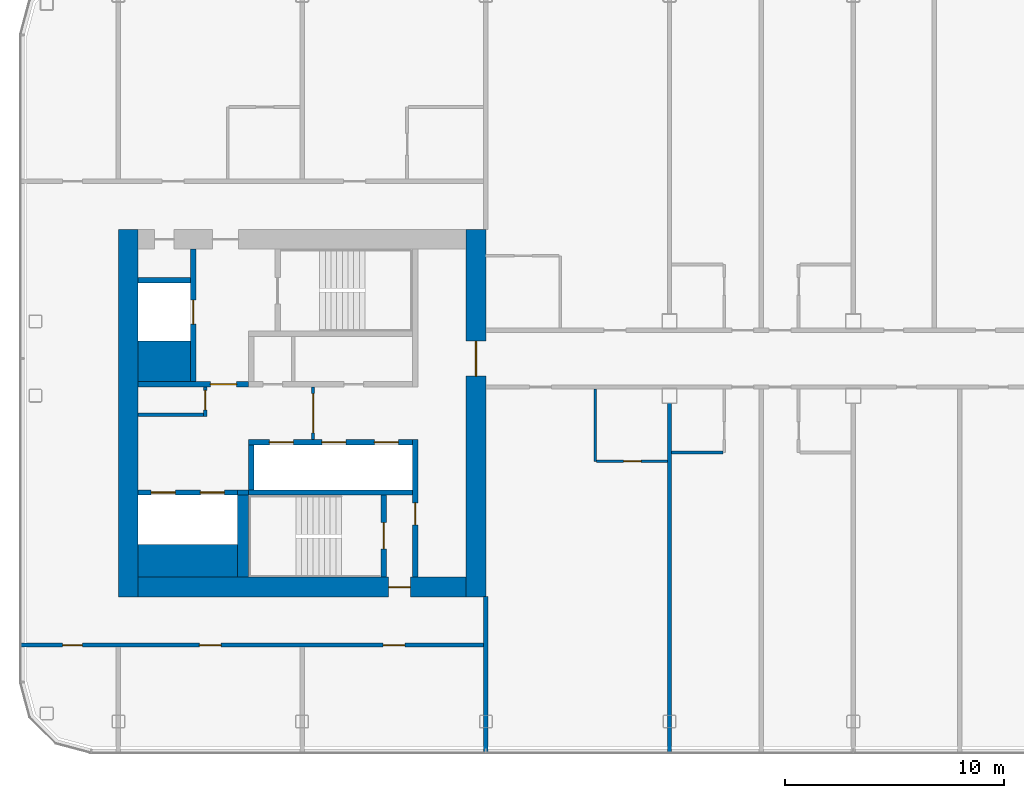
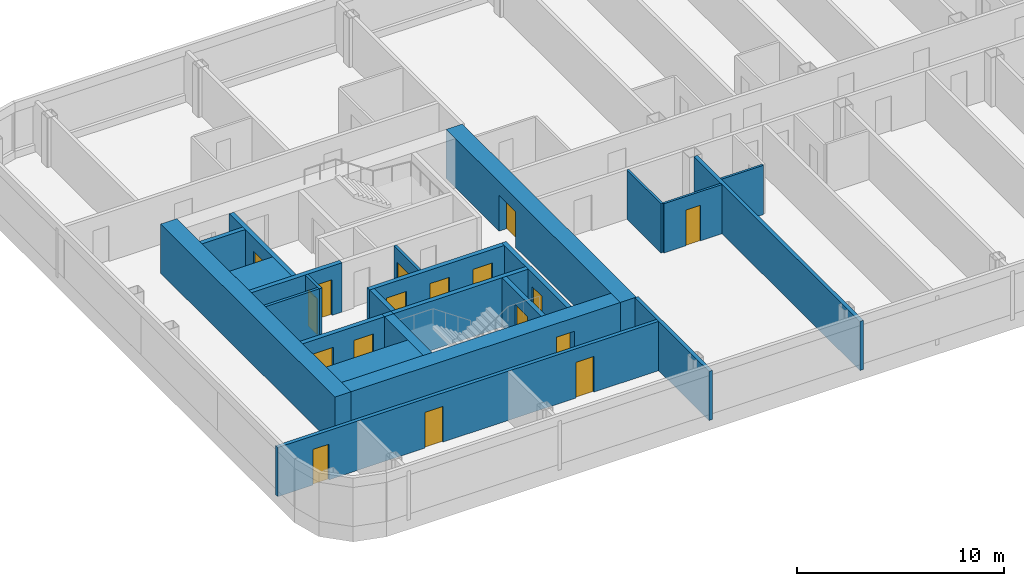
# One storey, part 13 of 26: 25 walls, 17 doors, 17 openings.
"""IFC4 building model written with IfcOpenShell, lengths in metres."""

from ifc_helpers import new_model, si_unit, direction, frame, frame_2d, origin, place, context, subcontext, project, spatial, rectangle, extrude, material, layer, layer_set, type_object, element, fill, save


model = new_model("IFC4")

# Units and contexts
model_context = context("Model", 3, precision=1e-05, world=origin(), true_north=direction((0.0, 1.0)))
body_context = subcontext(model_context, "Body", "Model", "MODEL_VIEW")
ifc_project = project(units=[si_unit("LENGTHUNIT", "METRE"), si_unit("AREAUNIT", "SQUARE_METRE"), si_unit("VOLUMEUNIT", "CUBIC_METRE"), si_unit("PLANEANGLEUNIT", "RADIAN"), si_unit("MASSUNIT", "GRAM", prefix="KILO")], contexts=[model_context])

# Site, building, storey
site_placement = place(None, origin())
site = spatial("IfcSite", under=ifc_project, at=site_placement, CompositionType="ELEMENT")
building_placement = place(site_placement, origin())
building = spatial("IfcBuilding", under=site, at=building_placement, Name="Hakoniwa Tower and Hamabe Station Hall", CompositionType="ELEMENT")
storey_placement = place(building_placement, frame((0.0, 0.0, 225.0)))
storey = spatial("IfcBuildingStorey", under=building, at=storey_placement, Name="L64", CompositionType="ELEMENT", Elevation=225.0)

# Wall, opening, door
ifc_material_1 = material(Name="Gypsum board partition", Category="gypsum")
ifc_layer_1 = layer(ifc_material_1, 0.125)
ifc_layer_set_1 = layer_set([ifc_layer_1], Name="Bathroom Partition 125")
wall_type_1 = type_object("IfcWallType", Name="Bathroom Partition 125", PredefinedType="PARTITIONING", material=ifc_layer_set_1)
wall_1_placement = place(storey_placement, frame((-11.737548828125, -2.199951171875, 0.0), z_axis=(0.0, 0.0, 1.0), x_axis=(1.0, 0.0, 0.0)))
wall_1 = element("IfcWall", 1, at=wall_1_placement, inside=storey, type_object=wall_type_1, Name="GW-L64-003", PredefinedType="PARTITIONING", context=body_context, shape_type="SweptSolid", body=[
    extrude(rectangle(XDim=3.237548828125, YDim=0.125, at=frame_2d((1.61865234375, 0.0))), origin(), (0.0, 0.0, 1.0), 2.89990234375),
])
opening_1_placement = place(wall_1_placement, frame((1.237548828125, 0.0, 0.0)))
opening_1 = element("IfcOpeningElement", 2, at=opening_1_placement, cuts=wall_1, Name="Opening GD-G4C2-09", PredefinedType="OPENING", context=body_context, shape_type="SweptSolid", body=[
    extrude(rectangle(XDim=0.800048828125, YDim=2.10009765625, at=frame_2d((0.39990234375, 1.050048828125))), frame((0.0, 0.072509765625, 0.0), z_axis=(0.0, -1.0, 0.0), x_axis=(1.0, 0.0, 0.0)), (0.0, 0.0, 1.0), 0.14501953125),
])
ifc_material_2 = material(Name="Timber door leaf", Category="wood")
door_type_1 = type_object("IfcDoorType", Name="Bathroom Door 800", OperationType="SINGLE_SWING_LEFT", PredefinedType="DOOR", material=ifc_material_2)
door_1_placement = place(opening_1_placement, origin())
door_1 = element("IfcDoor", 3, at=door_1_placement, inside=storey, type_object=door_type_1, Name="Door GD-G4C2-09", OperationType="SINGLE_SWING_LEFT", OverallHeight=2.10009765625, OverallWidth=0.800048828125, PredefinedType="DOOR", context=body_context, shape_type="SweptSolid", body=[
    extrude(rectangle(XDim=0.800048828125, YDim=2.10009765625, at=frame_2d((0.39990234375, 1.050048828125))), frame((0.0, 0.02490234375, 0.0), z_axis=(0.0, -1.0, 0.0), x_axis=(1.0, 0.0, 0.0)), (0.0, 0.0, 1.0), 0.050048828125),
])
fill(opening_1, door_1)

# Walls
wall_2_placement = place(storey_placement, frame((-8.300048828125, -1.800048828125, 0.0), z_axis=(0.0, 0.0, 1.0), x_axis=(1.0, 0.0, 0.0)))
element("IfcWall", 4, at=wall_2_placement, inside=storey, type_object=wall_type_1, Name="GW-L64-004", PredefinedType="PARTITIONING", context=body_context, shape_type="SweptSolid", body=[
    extrude(rectangle(XDim=2.337646484375, YDim=0.125, at=frame_2d((1.1689453125, 0.0))), origin(), (0.0, 0.0, 1.0), 2.89990234375),
])
wall_3_placement = place(storey_placement, frame((-11.800048828125, -2.199951171875, 0.0), z_axis=(0.0, 0.0, 1.0), x_axis=(0.0, 1.0, 0.0)))
element("IfcWall", 5, at=wall_3_placement, inside=storey, type_object=wall_type_1, Name="GW-L64-031", PredefinedType="PARTITIONING", context=body_context, shape_type="SweptSolid", body=[
    extrude(rectangle(XDim=3.300048828125, YDim=0.125, at=frame_2d((1.64990234375, 0.0))), origin(), (0.0, 0.0, 1.0), 2.89990234375),
])

# Wall, opening, door
ifc_material_3 = material(Name="Gypsum board partition")
ifc_layer_2 = layer(ifc_material_3, 0.14990234375)
ifc_layer_set_2 = layer_set([ifc_layer_2], Name="CORE PARTITION 150 EI 60")
wall_type_2 = type_object("IfcWallType", Name="CORE PARTITION 150 EI 60", PredefinedType="PARTITIONING", material=ifc_layer_set_2)
wall_4_placement = place(storey_placement, frame((-24.699951171875, -1.199951171875, 0.0), z_axis=(0.0, 0.0, 1.0), x_axis=(0.0, 1.0, 0.0)))
wall_4 = element("IfcWall", 6, at=wall_4_placement, inside=storey, type_object=wall_type_2, Name="Core partition PL0 west", PredefinedType="PARTITIONING", context=body_context, shape_type="SweptSolid", body=[
    extrude(rectangle(XDim=2.39990234375, YDim=0.14990234375, at=frame_2d((1.199951171875, 0.0))), origin(), (0.0, 0.0, 1.0), 2.89990234375),
])
opening_2_placement = place(wall_4_placement, frame((0.300048828125, 0.0, 0.0)))
opening_2 = element("IfcOpeningElement", 7, at=opening_2_placement, cuts=wall_4, Name="Opening CD-W-LP0-18", PredefinedType="OPENING", context=body_context, shape_type="SweptSolid", body=[
    extrude(rectangle(XDim=1.800048828125, YDim=2.10009765625, at=frame_2d((0.89990234375, 1.050048828125))), frame((0.0, 0.0849609375, 0.0), z_axis=(0.0, -1.0, 0.0), x_axis=(1.0, 0.0, 0.0)), (0.0, 0.0, 1.0), 0.169921875),
])
ifc_material_4 = material(Name="Steel fire door", Category="steel")
door_type_2 = type_object("IfcDoorType", Name="CORE DOOR 1800 FD60", OperationType="DOUBLE_DOOR_SINGLE_SWING", PredefinedType="DOOR", material=ifc_material_4)
door_2_placement = place(opening_2_placement, origin())
door_2 = element("IfcDoor", 8, at=door_2_placement, inside=storey, type_object=door_type_2, Name="Lift lobby partition door", OperationType="DOUBLE_DOOR_SINGLE_SWING", OverallHeight=2.10009765625, OverallWidth=1.800048828125, PredefinedType="DOOR", context=body_context, shape_type="SweptSolid", body=[
    extrude(rectangle(XDim=1.800048828125, YDim=2.10009765625, at=frame_2d((0.89990234375, 1.050048828125))), frame((0.0, 0.02490234375, 0.0), z_axis=(0.0, -1.0, 0.0), x_axis=(1.0, 0.0, 0.0)), (0.0, 0.0, 1.0), 0.050048828125),
])
fill(opening_2, door_2)

wall_5_placement = place(storey_placement, frame((-29.625, -0.14990234375, 0.0), z_axis=(0.0, 0.0, 1.0), x_axis=(0.0, 1.0, 0.0)))
wall_5 = element("IfcWall", 9, at=wall_5_placement, inside=storey, type_object=wall_type_2, Name="Core partition PW0 west", PredefinedType="PARTITIONING", context=body_context, shape_type="SweptSolid", body=[
    extrude(rectangle(XDim=1.349853515625, YDim=0.14990234375, at=frame_2d((0.6748046875, 0.0))), origin(), (0.0, 0.0, 1.0), 2.89990234375),
])
opening_3_placement = place(wall_5_placement, frame((0.300048828125, 0.0, 0.0)))
opening_3 = element("IfcOpeningElement", 10, at=opening_3_placement, cuts=wall_5, Name="Opening CD-W-RM1-9", PredefinedType="OPENING", context=body_context, shape_type="SweptSolid", body=[
    extrude(rectangle(XDim=0.89990234375, YDim=2.10009765625, at=frame_2d((0.449951171875, 1.050048828125))), frame((0.0, 0.0849609375, 0.0), z_axis=(0.0, -1.0, 0.0), x_axis=(1.0, 0.0, 0.0)), (0.0, 0.0, 1.0), 0.169921875),
])
ifc_material_5 = material(Name="Steel fire door", Category="steel")
door_type_3 = type_object("IfcDoorType", Name="CORE DOOR 900 FD30", OperationType="NOTDEFINED", PredefinedType="DOOR", material=ifc_material_5)
door_3_placement = place(opening_3_placement, origin())
door_3 = element("IfcDoor", 11, at=door_3_placement, inside=storey, type_object=door_type_3, Name="Store room door", OperationType="SINGLE_SWING_RIGHT", OverallHeight=2.10009765625, OverallWidth=0.89990234375, PredefinedType="DOOR", context=body_context, shape_type="SweptSolid", body=[
    extrude(rectangle(XDim=0.89990234375, YDim=2.10009765625, at=frame_2d((0.449951171875, 1.050048828125))), frame((0.0, 0.02490234375, 0.0), z_axis=(0.0, -1.0, 0.0), x_axis=(1.0, 0.0, 0.0)), (0.0, 0.0, 1.0), 0.050048828125),
])
fill(opening_3, door_3)

# Wall
wall_6_placement = place(storey_placement, frame((-32.699951171875, -0.074951171875, 0.0), z_axis=(0.0, 0.0, 1.0), x_axis=(1.0, 0.0, 0.0)))
element("IfcWall", 12, at=wall_6_placement, inside=storey, type_object=wall_type_2, Name="Core partition PS west", PredefinedType="PARTITIONING", context=body_context, shape_type="SweptSolid", body=[
    extrude(rectangle(XDim=3.0, YDim=0.14990234375, at=frame_2d((1.5, 0.0))), origin(), (0.0, 0.0, 1.0), 2.89990234375),
])

# Wall, opening, door
ifc_material_6 = material(Name="Concrete C60", Category="concrete")
ifc_layer_3 = layer(ifc_material_6, 0.89990234375)
ifc_layer_set_3 = layer_set([ifc_layer_3], Name="CORE WALL 900 C60")
wall_type_3 = type_object("IfcWallType", Name="CORE WALL 900 C60", PredefinedType="SHEAR", material=ifc_layer_set_3)
wall_7_placement = place(storey_placement, frame((-17.25, -8.39990234375, 0.0), z_axis=(0.0, 0.0, 1.0), x_axis=(0.0, 1.0, 0.0)))
wall_7 = element("IfcWall", 13, at=wall_7_placement, inside=storey, type_object=wall_type_3, Name="Core wall INNER west", PredefinedType="SHEAR", context=body_context, shape_type="SweptSolid", body=[
    extrude(rectangle(XDim=16.7998046875, YDim=0.89990234375, at=frame_2d((8.39990234375, 0.0))), origin(), (0.0, 0.0, 1.0), 2.89990234375),
])
opening_4_placement = place(wall_7_placement, frame((10.10009765625, 0.0, 0.0)))
opening_4 = element("IfcOpeningElement", 14, at=opening_4_placement, cuts=wall_7, Name="Opening CD-W-IN1-16", PredefinedType="OPENING", context=body_context, shape_type="SweptSolid", body=[
    extrude(rectangle(XDim=1.60009765625, YDim=2.10009765625, at=frame_2d((0.800048828125, 1.050048828125))), frame((0.0, 0.4599609375, 0.0), z_axis=(0.0, -1.0, 0.0), x_axis=(1.0, 0.0, 0.0)), (0.0, 0.0, 1.0), 0.919921875),
])
ifc_material_7 = material(Name="Steel fire door", Category="steel")
door_type_4 = type_object("IfcDoorType", Name="CORE DOOR 1600 FD60", OperationType="DOUBLE_DOOR_SINGLE_SWING", PredefinedType="DOOR", material=ifc_material_7)
door_4_placement = place(opening_4_placement, origin())
door_4 = element("IfcDoor", 15, at=door_4_placement, inside=storey, type_object=door_type_4, Name="Lift lobby door", OperationType="DOUBLE_DOOR_SINGLE_SWING", OverallHeight=2.10009765625, OverallWidth=1.60009765625, PredefinedType="DOOR", context=body_context, shape_type="SweptSolid", body=[
    extrude(rectangle(XDim=1.60009765625, YDim=2.10009765625, at=frame_2d((0.800048828125, 1.050048828125))), frame((0.0, 0.02490234375, 0.0), z_axis=(0.0, -1.0, 0.0), x_axis=(1.0, 0.0, 0.0)), (0.0, 0.0, 1.0), 0.050048828125),
])
fill(opening_4, door_4)

# Wall
wall_8_placement = place(storey_placement, frame((-33.14990234375, -8.39990234375, 0.0), z_axis=(0.0, 0.0, 1.0), x_axis=(0.0, 1.0, 0.0)))
element("IfcWall", 16, at=wall_8_placement, inside=storey, type_object=wall_type_3, Name="Core wall OUTER west", PredefinedType="SHEAR", context=body_context, shape_type="SweptSolid", body=[
    extrude(rectangle(XDim=16.7998046875, YDim=0.89990234375, at=frame_2d((8.39990234375, 0.0))), origin(), (0.0, 0.0, 1.0), 2.89990234375),
])

# Wall, opening, door
wall_9_placement = place(storey_placement, frame((-32.699951171875, -7.949951171875, 0.0), z_axis=(0.0, 0.0, 1.0), x_axis=(1.0, 0.0, 0.0)))
wall_9 = element("IfcWall", 17, at=wall_9_placement, inside=storey, type_object=wall_type_3, Name="Core wall SOUTH west", PredefinedType="SHEAR", context=body_context, shape_type="SweptSolid", body=[
    extrude(rectangle(XDim=15.0, YDim=0.89990234375, at=frame_2d((7.5, 0.0))), origin(), (0.0, 0.0, 1.0), 2.89990234375),
])
opening_5_placement = place(wall_9_placement, frame((11.449951171875, 0.0, 0.0)))
opening_5 = element("IfcOpeningElement", 18, at=opening_5_placement, cuts=wall_9, Name="Opening CD-W-FS3-10", PredefinedType="OPENING", context=body_context, shape_type="SweptSolid", body=[
    extrude(rectangle(XDim=1.0, YDim=2.10009765625, at=frame_2d((0.5, 1.050048828125))), frame((0.0, 0.4599609375, 0.0), z_axis=(0.0, -1.0, 0.0), x_axis=(1.0, 0.0, 0.0)), (0.0, 0.0, 1.0), 0.919921875),
])
ifc_material_8 = material(Name="Steel fire door", Category="steel")
door_type_5 = type_object("IfcDoorType", Name="CORE DOOR 1000 FD60", OperationType="NOTDEFINED", PredefinedType="DOOR", material=ifc_material_8)
door_5_placement = place(opening_5_placement, origin())
door_5 = element("IfcDoor", 19, at=door_5_placement, inside=storey, type_object=door_type_5, Name="Stair vestibule door", OperationType="SINGLE_SWING_LEFT", OverallHeight=2.10009765625, OverallWidth=1.0, PredefinedType="DOOR", context=body_context, shape_type="SweptSolid", body=[
    extrude(rectangle(XDim=1.0, YDim=2.10009765625, at=frame_2d((0.5, 1.050048828125))), frame((0.0, 0.02490234375, 0.0), z_axis=(0.0, -1.0, 0.0), x_axis=(1.0, 0.0, 0.0)), (0.0, 0.0, 1.0), 0.050048828125),
])
fill(opening_5, door_5)

# Walls
ifc_material_9 = material(Name="Concrete C60", Category="concrete")
ifc_layer_4 = layer(ifc_material_9, 1.5)
ifc_layer_set_4 = layer_set([ifc_layer_4], Name="CORE WEB WALL 1500 C60")
wall_type_4 = type_object("IfcWallType", Name="CORE WEB WALL 1500 C60", PredefinedType="SHEAR", material=ifc_layer_set_4)
wall_10_placement = place(storey_placement, frame((-32.699951171875, -6.75, 0.0), z_axis=(0.0, 0.0, 1.0), x_axis=(1.0, 0.0, 0.0)))
element("IfcWall", 20, at=wall_10_placement, inside=storey, type_object=wall_type_4, Name="Core wall SER west", PredefinedType="SHEAR", context=body_context, shape_type="SweptSolid", body=[
    extrude(rectangle(XDim=4.550048828125, YDim=1.5, at=frame_2d((2.27490234375, 0.0))), origin(), (0.0, 0.0, 1.0), 2.89990234375),
])
ifc_material_10 = material(Name="Concrete C60", Category="concrete")
ifc_layer_5 = layer(ifc_material_10, 1.85009765625)
ifc_layer_set_5 = layer_set([ifc_layer_5], Name="CORE WEB WALL 1850 C60")
wall_type_5 = type_object("IfcWallType", Name="CORE WEB WALL 1850 C60", PredefinedType="SHEAR", material=ifc_layer_set_5)
wall_11_placement = place(storey_placement, frame((-32.699951171875, 2.375, 0.0), z_axis=(0.0, 0.0, 1.0), x_axis=(1.0, 0.0, 0.0)))
element("IfcWall", 21, at=wall_11_placement, inside=storey, type_object=wall_type_5, Name="Core wall CA west", PredefinedType="SHEAR", context=body_context, shape_type="SweptSolid", body=[
    extrude(rectangle(XDim=2.39990234375, YDim=1.85009765625, at=frame_2d((1.199951171875, 0.0))), origin(), (0.0, 0.0, 1.0), 2.89990234375),
])

# Wall, opening, door
ifc_material_11 = material(Name="Concrete C60", Category="concrete")
ifc_layer_6 = layer(ifc_material_11, 0.25)
ifc_layer_set_6 = layer_set([ifc_layer_6], Name="CORE WEB WALL 250 C60")
wall_type_6 = type_object("IfcWallType", Name="CORE WEB WALL 250 C60", PredefinedType="SHEAR", material=ifc_layer_set_6)
wall_12_placement = place(storey_placement, frame((-20.02490234375, -7.5, 0.0), z_axis=(0.0, 0.0, 1.0), x_axis=(0.0, 1.0, 0.0)))
wall_12 = element("IfcWall", 22, at=wall_12_placement, inside=storey, type_object=wall_type_6, Name="Core wall W1S west", PredefinedType="SHEAR", context=body_context, shape_type="SweptSolid", body=[
    extrude(rectangle(XDim=6.300048828125, YDim=0.25, at=frame_2d((3.14990234375, 0.0))), origin(), (0.0, 0.0, 1.0), 2.89990234375),
])
opening_6_placement = place(wall_12_placement, frame((2.39990234375, 0.0, 0.0)))
opening_6 = element("IfcOpeningElement", 23, at=opening_6_placement, cuts=wall_12, Name="Opening CD-W-VS-10", PredefinedType="OPENING", context=body_context, shape_type="SweptSolid", body=[
    extrude(rectangle(XDim=1.0, YDim=2.10009765625, at=frame_2d((0.5, 1.050048828125))), frame((0.0, 0.135009765625, 0.0), z_axis=(0.0, -1.0, 0.0), x_axis=(1.0, 0.0, 0.0)), (0.0, 0.0, 1.0), 0.27001953125),
])
door_6_placement = place(opening_6_placement, origin())
door_6 = element("IfcDoor", 24, at=door_6_placement, inside=storey, type_object=door_type_5, Name="Stair vestibule door", OperationType="SINGLE_SWING_LEFT", OverallHeight=2.10009765625, OverallWidth=1.0, PredefinedType="DOOR", context=body_context, shape_type="SweptSolid", body=[
    extrude(rectangle(XDim=1.0, YDim=2.10009765625, at=frame_2d((0.5, 1.050048828125))), frame((0.0, 0.02490234375, 0.0), z_axis=(0.0, -1.0, 0.0), x_axis=(1.0, 0.0, 0.0)), (0.0, 0.0, 1.0), 0.050048828125),
])
fill(opening_6, door_6)

wall_13_placement = place(storey_placement, frame((-32.699951171875, 1.324951171875, 0.0), z_axis=(0.0, 0.0, 1.0), x_axis=(1.0, 0.0, 0.0)))
wall_13 = element("IfcWall", 25, at=wall_13_placement, inside=storey, type_object=wall_type_6, Name="Core wall ELN west", PredefinedType="SHEAR", context=body_context, shape_type="SweptSolid", body=[
    extrude(rectangle(XDim=5.050048828125, YDim=0.25, at=frame_2d((2.52490234375, 0.0))), origin(), (0.0, 0.0, 1.0), 2.89990234375),
])
opening_7_placement = place(wall_13_placement, frame((3.300048828125, 0.0, 0.0)))
opening_7 = element("IfcOpeningElement", 26, at=opening_7_placement, cuts=wall_13, Name="Opening CD-W-FL-12", PredefinedType="OPENING", context=body_context, shape_type="SweptSolid", body=[
    extrude(rectangle(XDim=1.199951171875, YDim=2.10009765625, at=frame_2d((0.60009765625, 1.050048828125))), frame((0.0, 0.135009765625, 0.0), z_axis=(0.0, -1.0, 0.0), x_axis=(1.0, 0.0, 0.0)), (0.0, 0.0, 1.0), 0.27001953125),
])
ifc_material_12 = material(Name="Steel fire door", Category="steel")
door_type_6 = type_object("IfcDoorType", Name="CORE DOOR 1200 FD60", OperationType="DOUBLE_DOOR_SINGLE_SWING", PredefinedType="DOOR", material=ifc_material_12)
door_7_placement = place(opening_7_placement, origin())
door_7 = element("IfcDoor", 27, at=door_7_placement, inside=storey, type_object=door_type_6, Name="Stair vestibule door to the fire-fighting lobby", OperationType="DOUBLE_DOOR_SINGLE_SWING", OverallHeight=2.10009765625, OverallWidth=1.199951171875, PredefinedType="DOOR", context=body_context, shape_type="SweptSolid", body=[
    extrude(rectangle(XDim=1.199951171875, YDim=2.10009765625, at=frame_2d((0.60009765625, 1.050048828125))), frame((0.0, 0.02490234375, 0.0), z_axis=(0.0, -1.0, 0.0), x_axis=(1.0, 0.0, 0.0)), (0.0, 0.0, 1.0), 0.050048828125),
])
fill(opening_7, door_7)

wall_14_placement = place(storey_placement, frame((-30.175048828125, 1.449951171875, 0.0), z_axis=(0.0, 0.0, 1.0), x_axis=(0.0, 1.0, 0.0)))
wall_14 = element("IfcWall", 28, at=wall_14_placement, inside=storey, type_object=wall_type_6, Name="Core wall FFF west", PredefinedType="SHEAR", context=body_context, shape_type="SweptSolid", body=[
    extrude(rectangle(XDim=6.050048828125, YDim=0.25, at=frame_2d((3.02490234375, 0.0))), origin(), (0.0, 0.0, 1.0), 2.89990234375),
])
opening_8_placement = place(wall_14_placement, frame((2.625, 0.0, 0.0)))
opening_8 = element("IfcOpeningElement", 29, at=opening_8_placement, cuts=wall_14, Name="Opening LD-FF1", PredefinedType="OPENING", context=body_context, shape_type="SweptSolid", body=[
    extrude(rectangle(XDim=1.10009765625, YDim=2.10009765625, at=frame_2d((0.550048828125, 1.050048828125))), frame((0.0, 0.135009765625, 0.0), z_axis=(0.0, -1.0, 0.0), x_axis=(1.0, 0.0, 0.0)), (0.0, 0.0, 1.0), 0.27001953125),
])
ifc_material_13 = material(Name="Stainless steel SUS304", Category="steel")
door_type_7 = type_object("IfcDoorType", Name="LIFT LANDING DOOR 1100 FD60", OperationType="DOUBLE_DOOR_SLIDING", PredefinedType="DOOR", material=ifc_material_13)
door_8_placement = place(opening_8_placement, origin())
door_8 = element("IfcDoor", 30, at=door_8_placement, inside=storey, type_object=door_type_7, Name="Lift landing door FF1 L64", OperationType="DOUBLE_DOOR_SLIDING", OverallHeight=2.10009765625, OverallWidth=1.10009765625, PredefinedType="DOOR", context=body_context, shape_type="SweptSolid", body=[
    extrude(rectangle(XDim=1.10009765625, YDim=2.10009765625, at=frame_2d((0.550048828125, 1.050048828125))), frame((0.0, 0.02490234375, 0.0), z_axis=(0.0, -1.0, 0.0), x_axis=(1.0, 0.0, 0.0)), (0.0, 0.0, 1.0), 0.050048828125),
])
fill(opening_8, door_8)

# Wall
wall_15_placement = place(storey_placement, frame((-32.699951171875, 6.074951171875, 0.0), z_axis=(0.0, 0.0, 1.0), x_axis=(1.0, 0.0, 0.0)))
element("IfcWall", 31, at=wall_15_placement, inside=storey, type_object=wall_type_6, Name="Core wall C2 west", PredefinedType="SHEAR", context=body_context, shape_type="SweptSolid", body=[
    extrude(rectangle(XDim=2.39990234375, YDim=0.25, at=frame_2d((1.199951171875, 0.0))), origin(), (0.0, 0.0, 1.0), 2.89990234375),
])

# Wall, openings, doors
wall_16_placement = place(storey_placement, frame((-27.64990234375, -1.324951171875, 0.0), z_axis=(0.0, 0.0, 1.0), x_axis=(1.0, 0.0, 0.0)))
wall_16 = element("IfcWall", 32, at=wall_16_placement, inside=storey, type_object=wall_type_6, Name="Core wall SF west", PredefinedType="SHEAR", context=body_context, shape_type="SweptSolid", body=[
    extrude(rectangle(XDim=7.5, YDim=0.25, at=frame_2d((3.75, 0.0))), origin(), (0.0, 0.0, 1.0), 2.89990234375),
])
opening_9_placement = place(wall_16_placement, frame((5.75, 0.0, 0.0)))
opening_9 = element("IfcOpeningElement", 33, at=opening_9_placement, cuts=wall_16, Name="Opening LD-HR1", PredefinedType="OPENING", context=body_context, shape_type="SweptSolid", body=[
    extrude(rectangle(XDim=1.10009765625, YDim=2.10009765625, at=frame_2d((0.550048828125, 1.050048828125))), frame((0.0, 0.135009765625, 0.0), z_axis=(0.0, -1.0, 0.0), x_axis=(1.0, 0.0, 0.0)), (0.0, 0.0, 1.0), 0.27001953125),
])
opening_10_placement = place(wall_16_placement, frame((3.35009765625, 0.0, 0.0)))
opening_10 = element("IfcOpeningElement", 34, at=opening_10_placement, cuts=wall_16, Name="Opening LD-HR2", PredefinedType="OPENING", context=body_context, shape_type="SweptSolid", body=[
    extrude(rectangle(XDim=1.10009765625, YDim=2.10009765625, at=frame_2d((0.550048828125, 1.050048828125))), frame((0.0, 0.135009765625, 0.0), z_axis=(0.0, -1.0, 0.0), x_axis=(1.0, 0.0, 0.0)), (0.0, 0.0, 1.0), 0.27001953125),
])
opening_11_placement = place(wall_16_placement, frame((0.949951171875, 0.0, 0.0)))
opening_11 = element("IfcOpeningElement", 35, at=opening_11_placement, cuts=wall_16, Name="Opening LD-HR3", PredefinedType="OPENING", context=body_context, shape_type="SweptSolid", body=[
    extrude(rectangle(XDim=1.10009765625, YDim=2.10009765625, at=frame_2d((0.550048828125, 1.050048828125))), frame((0.0, 0.135009765625, 0.0), z_axis=(0.0, -1.0, 0.0), x_axis=(1.0, 0.0, 0.0)), (0.0, 0.0, 1.0), 0.27001953125),
])
door_9_placement = place(opening_9_placement, origin())
door_9 = element("IfcDoor", 36, at=door_9_placement, inside=storey, type_object=door_type_7, Name="Lift landing door HR1 L64", OperationType="DOUBLE_DOOR_SLIDING", OverallHeight=2.10009765625, OverallWidth=1.10009765625, PredefinedType="DOOR", context=body_context, shape_type="SweptSolid", body=[
    extrude(rectangle(XDim=1.10009765625, YDim=2.10009765625, at=frame_2d((0.550048828125, 1.050048828125))), frame((0.0, 0.02490234375, 0.0), z_axis=(0.0, -1.0, 0.0), x_axis=(1.0, 0.0, 0.0)), (0.0, 0.0, 1.0), 0.050048828125),
])
fill(opening_9, door_9)
door_10_placement = place(opening_10_placement, origin())
door_10 = element("IfcDoor", 37, at=door_10_placement, inside=storey, type_object=door_type_7, Name="Lift landing door HR2 L64", OperationType="DOUBLE_DOOR_SLIDING", OverallHeight=2.10009765625, OverallWidth=1.10009765625, PredefinedType="DOOR", context=body_context, shape_type="SweptSolid", body=[
    extrude(rectangle(XDim=1.10009765625, YDim=2.10009765625, at=frame_2d((0.550048828125, 1.050048828125))), frame((0.0, 0.02490234375, 0.0), z_axis=(0.0, -1.0, 0.0), x_axis=(1.0, 0.0, 0.0)), (0.0, 0.0, 1.0), 0.050048828125),
])
fill(opening_10, door_10)
door_11_placement = place(opening_11_placement, origin())
door_11 = element("IfcDoor", 38, at=door_11_placement, inside=storey, type_object=door_type_7, Name="Lift landing door HR3 L64", OperationType="DOUBLE_DOOR_SLIDING", OverallHeight=2.10009765625, OverallWidth=1.10009765625, PredefinedType="DOOR", context=body_context, shape_type="SweptSolid", body=[
    extrude(rectangle(XDim=1.10009765625, YDim=2.10009765625, at=frame_2d((0.550048828125, 1.050048828125))), frame((0.0, 0.02490234375, 0.0), z_axis=(0.0, -1.0, 0.0), x_axis=(1.0, 0.0, 0.0)), (0.0, 0.0, 1.0), 0.050048828125),
])
fill(opening_11, door_11)

# Walls
wall_17_placement = place(storey_placement, frame((-27.52490234375, -3.5, 0.0), z_axis=(0.0, 0.0, 1.0), x_axis=(0.0, 1.0, 0.0)))
element("IfcWall", 39, at=wall_17_placement, inside=storey, type_object=wall_type_6, Name="Core wall SE west", PredefinedType="SHEAR", context=body_context, shape_type="SweptSolid", body=[
    extrude(rectangle(XDim=2.050048828125, YDim=0.25, at=frame_2d((1.02490234375, 0.0))), origin(), (0.0, 0.0, 1.0), 2.89990234375),
])
wall_18_placement = place(storey_placement, frame((-27.64990234375, -3.625, 0.0), z_axis=(0.0, 0.0, 1.0), x_axis=(1.0, 0.0, 0.0)))
element("IfcWall", 40, at=wall_18_placement, inside=storey, type_object=wall_type_6, Name="Core wall SR west", PredefinedType="SHEAR", context=body_context, shape_type="SweptSolid", body=[
    extrude(rectangle(XDim=7.5, YDim=0.25, at=frame_2d((3.75, 0.0))), origin(), (0.0, 0.0, 1.0), 2.89990234375),
])

# Wall, opening, door
wall_19_placement = place(storey_placement, frame((-21.47509765625, -7.5, 0.0), z_axis=(0.0, 0.0, 1.0), x_axis=(0.0, 1.0, 0.0)))
wall_19 = element("IfcWall", 41, at=wall_19_placement, inside=storey, type_object=wall_type_6, Name="Core wall VE west", PredefinedType="SHEAR", context=body_context, shape_type="SweptSolid", body=[
    extrude(rectangle(XDim=3.75, YDim=0.25, at=frame_2d((1.875, 0.0))), origin(), (0.0, 0.0, 1.0), 2.89990234375),
])
opening_12_placement = place(wall_19_placement, frame((1.300048828125, 0.0, 0.0)))
opening_12 = element("IfcOpeningElement", 42, at=opening_12_placement, cuts=wall_19, Name="Opening CD-W-SS-12", PredefinedType="OPENING", context=body_context, shape_type="SweptSolid", body=[
    extrude(rectangle(XDim=1.199951171875, YDim=2.10009765625, at=frame_2d((0.60009765625, 1.050048828125))), frame((0.0, 0.135009765625, 0.0), z_axis=(0.0, -1.0, 0.0), x_axis=(1.0, 0.0, 0.0)), (0.0, 0.0, 1.0), 0.27001953125),
])
door_12_placement = place(opening_12_placement, origin())
door_12 = element("IfcDoor", 43, at=door_12_placement, inside=storey, type_object=door_type_6, Name="Escape stair door", OperationType="DOUBLE_DOOR_SINGLE_SWING", OverallHeight=2.10009765625, OverallWidth=1.199951171875, PredefinedType="DOOR", context=body_context, shape_type="SweptSolid", body=[
    extrude(rectangle(XDim=1.199951171875, YDim=2.10009765625, at=frame_2d((0.60009765625, 1.050048828125))), frame((0.0, 0.02490234375, 0.0), z_axis=(0.0, -1.0, 0.0), x_axis=(1.0, 0.0, 0.0)), (0.0, 0.0, 1.0), 0.050048828125),
])
fill(opening_12, door_12)

# Wall, openings, doors
wall_20_placement = place(storey_placement, frame((-32.699951171875, -3.625, 0.0), z_axis=(0.0, 0.0, 1.0), x_axis=(1.0, 0.0, 0.0)))
wall_20 = element("IfcWall", 44, at=wall_20_placement, inside=storey, type_object=wall_type_6, Name="Core wall SEF west", PredefinedType="SHEAR", context=body_context, shape_type="SweptSolid", body=[
    extrude(rectangle(XDim=4.550048828125, YDim=0.25, at=frame_2d((2.27490234375, 0.0))), origin(), (0.0, 0.0, 1.0), 2.89990234375),
])
opening_13_placement = place(wall_20_placement, frame((2.85009765625, 0.0, 0.0)))
opening_13 = element("IfcOpeningElement", 45, at=opening_13_placement, cuts=wall_20, Name="Opening LD-SV1", PredefinedType="OPENING", context=body_context, shape_type="SweptSolid", body=[
    extrude(rectangle(XDim=1.10009765625, YDim=2.10009765625, at=frame_2d((0.550048828125, 1.050048828125))), frame((0.0, 0.135009765625, 0.0), z_axis=(0.0, -1.0, 0.0), x_axis=(1.0, 0.0, 0.0)), (0.0, 0.0, 1.0), 0.27001953125),
])
opening_14_placement = place(wall_20_placement, frame((0.60009765625, 0.0, 0.0)))
opening_14 = element("IfcOpeningElement", 46, at=opening_14_placement, cuts=wall_20, Name="Opening LD-SV2", PredefinedType="OPENING", context=body_context, shape_type="SweptSolid", body=[
    extrude(rectangle(XDim=1.10009765625, YDim=2.10009765625, at=frame_2d((0.550048828125, 1.050048828125))), frame((0.0, 0.135009765625, 0.0), z_axis=(0.0, -1.0, 0.0), x_axis=(1.0, 0.0, 0.0)), (0.0, 0.0, 1.0), 0.27001953125),
])
door_13_placement = place(opening_13_placement, origin())
door_13 = element("IfcDoor", 47, at=door_13_placement, inside=storey, type_object=door_type_7, Name="Lift landing door SV1 L64", OperationType="DOUBLE_DOOR_SLIDING", OverallHeight=2.10009765625, OverallWidth=1.10009765625, PredefinedType="DOOR", context=body_context, shape_type="SweptSolid", body=[
    extrude(rectangle(XDim=1.10009765625, YDim=2.10009765625, at=frame_2d((0.550048828125, 1.050048828125))), frame((0.0, 0.02490234375, 0.0), z_axis=(0.0, -1.0, 0.0), x_axis=(1.0, 0.0, 0.0)), (0.0, 0.0, 1.0), 0.050048828125),
])
fill(opening_13, door_13)
door_14_placement = place(opening_14_placement, origin())
door_14 = element("IfcDoor", 48, at=door_14_placement, inside=storey, type_object=door_type_7, Name="Lift landing door SV2 L64", OperationType="DOUBLE_DOOR_SLIDING", OverallHeight=2.10009765625, OverallWidth=1.10009765625, PredefinedType="DOOR", context=body_context, shape_type="SweptSolid", body=[
    extrude(rectangle(XDim=1.10009765625, YDim=2.10009765625, at=frame_2d((0.550048828125, 1.050048828125))), frame((0.0, 0.02490234375, 0.0), z_axis=(0.0, -1.0, 0.0), x_axis=(1.0, 0.0, 0.0)), (0.0, 0.0, 1.0), 0.050048828125),
])
fill(opening_14, door_14)

# Walls
wall_21_placement = place(storey_placement, frame((-28.14990234375, -3.625, 0.0), z_axis=(0.0, 0.0, 1.0), x_axis=(1.0, 0.0, 0.0)))
element("IfcWall", 49, at=wall_21_placement, inside=storey, type_object=wall_type_6, Name="Core wall SRK west", PredefinedType="SHEAR", context=body_context, shape_type="SweptSolid", body=[
    extrude(rectangle(XDim=0.5, YDim=0.25, at=frame_2d((0.25, 0.0))), origin(), (0.0, 0.0, 1.0), 2.89990234375),
])
ifc_material_14 = material(Name="Concrete C60", Category="concrete")
ifc_layer_7 = layer(ifc_material_14, 0.5)
ifc_layer_set_7 = layer_set([ifc_layer_7], Name="CORE WEB WALL 500 C60")
wall_type_7 = type_object("IfcWallType", Name="CORE WEB WALL 500 C60", PredefinedType="SHEAR", material=ifc_layer_set_7)
wall_22_placement = place(storey_placement, frame((-27.89990234375, -7.5, 0.0), z_axis=(0.0, 0.0, 1.0), x_axis=(0.0, 1.0, 0.0)))
element("IfcWall", 50, at=wall_22_placement, inside=storey, type_object=wall_type_7, Name="Core wall SSE west", PredefinedType="SHEAR", context=body_context, shape_type="SweptSolid", body=[
    extrude(rectangle(XDim=3.75, YDim=0.5, at=frame_2d((1.875, 0.0))), origin(), (0.0, 0.0, 1.0), 2.89990234375),
])

# Wall, openings, doors
ifc_material_15 = material(Name="Fire-rated gypsum board partition", Category="gypsum")
ifc_layer_8 = layer(ifc_material_15, 0.199951171875)
ifc_layer_set_8 = layer_set([ifc_layer_8], Name="Corridor Wall 200")
wall_type_8 = type_object("IfcWallType", Name="Corridor Wall 200", PredefinedType="PARTITIONING", material=ifc_layer_set_8)
wall_23_placement = place(storey_placement, frame((-38.10009765625, -10.60009765625, 0.0), z_axis=(0.0, 0.0, 1.0), x_axis=(1.0, 0.0, 0.0)))
wall_23 = element("IfcWall", 51, at=wall_23_placement, inside=storey, type_object=wall_type_8, Name="GW-L64-001", PredefinedType="PARTITIONING", context=body_context, shape_type="SweptSolid", body=[
    extrude(rectangle(XDim=21.300048828125, YDim=0.199951171875, at=frame_2d((10.64990234375, 0.0))), origin(), (0.0, 0.0, 1.0), 2.89990234375),
])
opening_15_placement = place(wall_23_placement, frame((1.949951171875, 0.0, 0.0)))
opening_15 = element("IfcOpeningElement", 52, at=opening_15_placement, cuts=wall_23, Name="Opening GD-G4C2-01", PredefinedType="OPENING", context=body_context, shape_type="SweptSolid", body=[
    extrude(rectangle(XDim=0.89990234375, YDim=2.10009765625, at=frame_2d((0.449951171875, 1.050048828125))), frame((0.0, 0.10986328125, 0.0), z_axis=(0.0, -1.0, 0.0), x_axis=(1.0, 0.0, 0.0)), (0.0, 0.0, 1.0), 0.219970703125),
])
opening_16_placement = place(wall_23_placement, frame((8.199951171875, 0.0, 0.0)))
opening_16 = element("IfcOpeningElement", 53, at=opening_16_placement, cuts=wall_23, Name="Opening GD-G4C2-02", PredefinedType="OPENING", context=body_context, shape_type="SweptSolid", body=[
    extrude(rectangle(XDim=1.0, YDim=2.10009765625, at=frame_2d((0.5, 1.050048828125))), frame((0.0, 0.10986328125, 0.0), z_axis=(0.0, -1.0, 0.0), x_axis=(1.0, 0.0, 0.0)), (0.0, 0.0, 1.0), 0.219970703125),
])
opening_17_placement = place(wall_23_placement, frame((16.60009765625, 0.0, 0.0)))
opening_17 = element("IfcOpeningElement", 54, at=opening_17_placement, cuts=wall_23, Name="Opening GD-G4C2-03", PredefinedType="OPENING", context=body_context, shape_type="SweptSolid", body=[
    extrude(rectangle(XDim=1.0, YDim=2.10009765625, at=frame_2d((0.5, 1.050048828125))), frame((0.0, 0.10986328125, 0.0), z_axis=(0.0, -1.0, 0.0), x_axis=(1.0, 0.0, 0.0)), (0.0, 0.0, 1.0), 0.219970703125),
])
ifc_material_16 = material(Name="Timber door leaf", Category="wood")
door_type_8 = type_object("IfcDoorType", Name="Guest Entrance Door 1000", OperationType="SINGLE_SWING_LEFT", PredefinedType="DOOR", material=ifc_material_16)
door_15_placement = place(opening_16_placement, origin())
door_15 = element("IfcDoor", 55, at=door_15_placement, inside=storey, type_object=door_type_8, Name="Door GD-G4C2-02", OperationType="SINGLE_SWING_LEFT", OverallHeight=2.10009765625, OverallWidth=1.0, PredefinedType="DOOR", context=body_context, shape_type="SweptSolid", body=[
    extrude(rectangle(XDim=1.0, YDim=2.10009765625, at=frame_2d((0.5, 1.050048828125))), frame((0.0, 0.02490234375, 0.0), z_axis=(0.0, -1.0, 0.0), x_axis=(1.0, 0.0, 0.0)), (0.0, 0.0, 1.0), 0.050048828125),
])
fill(opening_16, door_15)
door_16_placement = place(opening_17_placement, origin())
door_16 = element("IfcDoor", 56, at=door_16_placement, inside=storey, type_object=door_type_8, Name="Door GD-G4C2-03", OperationType="SINGLE_SWING_RIGHT", OverallHeight=2.10009765625, OverallWidth=1.0, PredefinedType="DOOR", context=body_context, shape_type="SweptSolid", body=[
    extrude(rectangle(XDim=1.0, YDim=2.10009765625, at=frame_2d((0.5, 1.050048828125))), frame((0.0, 0.02490234375, 0.0), z_axis=(0.0, -1.0, 0.0), x_axis=(1.0, 0.0, 0.0)), (0.0, 0.0, 1.0), 0.050048828125),
])
fill(opening_17, door_16)
ifc_material_17 = material(Name="Timber door leaf", Category="wood")
door_type_9 = type_object("IfcDoorType", Name="Service Door 900", OperationType="SINGLE_SWING_LEFT", PredefinedType="DOOR", material=ifc_material_17)
door_17_placement = place(opening_15_placement, origin())
door_17 = element("IfcDoor", 57, at=door_17_placement, inside=storey, type_object=door_type_9, Name="Door GD-G4C2-01", OperationType="SINGLE_SWING_RIGHT", OverallHeight=2.10009765625, OverallWidth=0.89990234375, PredefinedType="DOOR", context=body_context, shape_type="SweptSolid", body=[
    extrude(rectangle(XDim=0.89990234375, YDim=2.10009765625, at=frame_2d((0.449951171875, 1.050048828125))), frame((0.0, 0.02490234375, 0.0), z_axis=(0.0, -1.0, 0.0), x_axis=(1.0, 0.0, 0.0)), (0.0, 0.0, 1.0), 0.050048828125),
])
fill(opening_15, door_17)

# Walls
ifc_material_18 = material(Name="Fire-rated gypsum board partition", Category="gypsum")
ifc_layer_9 = layer(ifc_material_18, 0.199951171875)
ifc_layer_set_9 = layer_set([ifc_layer_9], Name="Party Wall 200")
wall_type_9 = type_object("IfcWallType", Name="Party Wall 200", PredefinedType="PARTITIONING", material=ifc_layer_set_9)
wall_24_placement = place(storey_placement, frame((-16.800048828125, -15.550048828125, 0.0), z_axis=(0.0, 0.0, 1.0), x_axis=(0.0, 1.0, 0.0)))
element("IfcWall", 58, at=wall_24_placement, inside=storey, type_object=wall_type_9, Name="GW-L64-028", PredefinedType="PARTITIONING", context=body_context, shape_type="SweptSolid", body=[
    extrude(rectangle(XDim=7.16015625, YDim=0.199951171875, at=frame_2d((3.580078125, 0.0))), origin(), (0.0, 0.0, 1.0), 2.89990234375),
])
wall_25_placement = place(storey_placement, frame((-8.39990234375, -15.550048828125, 0.0), z_axis=(0.0, 0.0, 1.0), x_axis=(0.0, 1.0, 0.0)))
element("IfcWall", 59, at=wall_25_placement, inside=storey, type_object=wall_type_9, Name="GW-L64-032", PredefinedType="PARTITIONING", context=body_context, shape_type="SweptSolid", body=[
    extrude(rectangle(XDim=16.010009765625, YDim=0.199951171875, at=frame_2d((8.0048828125, 0.0))), origin(), (0.0, 0.0, 1.0), 2.89990234375),
])

save(model, "model.ifc")
